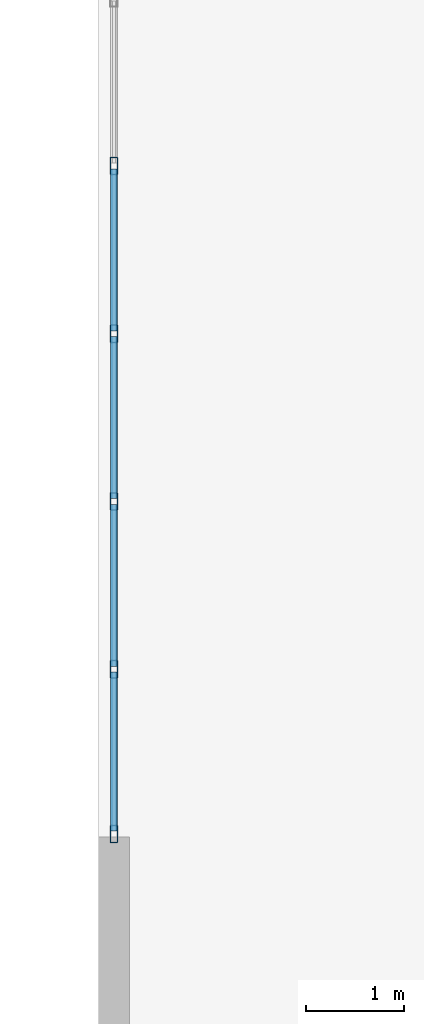
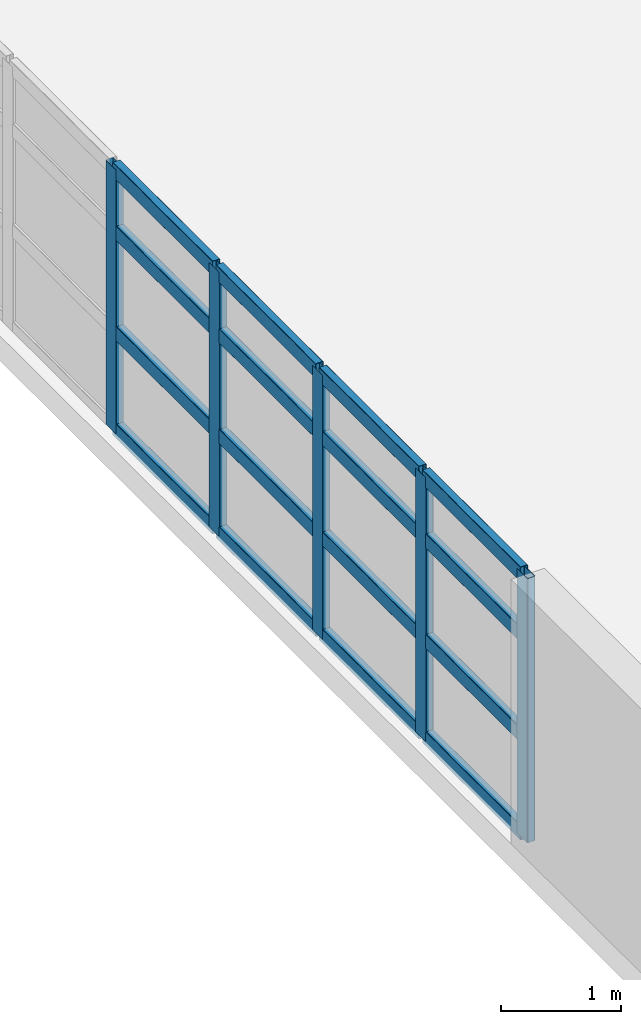
# One storey, part 4 of 24: 21 members, 1 element without a shape of its own.
"""IFC4 building model written with IfcOpenShell, lengths in metres."""

from ifc_helpers import new_model, si_unit, direction, frame, origin, origin_2d, place, context, subcontext, project, spatial, hollow_rectangle, extrude, material, layer, layer_set, material_profile, profile_set, type_object, element, aggregate, save


model = new_model("IFC4")

# Units and contexts
model_context = context("Model", 3, precision=1e-05, world=origin(), true_north=direction((0.0, 1.0)))
body_context = subcontext(model_context, "Body", "Model", "MODEL_VIEW")
ifc_project = project(units=[si_unit("LENGTHUNIT", "METRE"), si_unit("AREAUNIT", "SQUARE_METRE"), si_unit("VOLUMEUNIT", "CUBIC_METRE"), si_unit("PLANEANGLEUNIT", "RADIAN"), si_unit("MASSUNIT", "GRAM", prefix="KILO")], contexts=[model_context])

# Site, building, storey
site_placement = place(None, origin())
site = spatial("IfcSite", under=ifc_project, at=site_placement, CompositionType="ELEMENT")
building_placement = place(site_placement, origin())
building = spatial("IfcBuilding", under=site, at=building_placement, Name="Qingluan Cross Belvedere", CompositionType="ELEMENT")
storey_placement = place(building_placement, origin())
storey = spatial("IfcBuildingStorey", under=building, at=storey_placement, Name="L01", CompositionType="ELEMENT", Elevation=0.0)

# Curtain wall, members
ifc_material_1 = material(Name="Thermally broken aluminium and Low-E glass", Category="aluminium")
ifc_layer = layer(ifc_material_1, 0.199951171875, Name="UnitisedCW_PodiumArrival")
ifc_layer_set = layer_set([ifc_layer], Name="Thermally broken aluminium and Low-E glass")
curtain_wall_type = type_object("IfcCurtainWallType", Name="UnitisedCW_PodiumArrival", PredefinedType="USERDEFINED", material=ifc_layer_set)
curtain_wall_placement = place(storey_placement, origin())
curtain_wall = element("IfcCurtainWall", 1, at=curtain_wall_placement, inside=storey, type_object=curtain_wall_type, Name="UnitisedCW_PodiumArrival run env:cw:L01:W", ObjectType="UNITISED CURTAIN WALL", PredefinedType="USERDEFINED")
ifc_material_2 = material(Name="Aluminium alloy 6063-T6", Category="aluminium")
ifc_material_profile_1 = material_profile(ifc_material_2, hollow_rectangle(XDim=0.074951171875, YDim=0.179931640625, WallThickness=0.00390625, InnerFilletRadius=0.00390625, OuterFilletRadius=0.008056640625, at=origin_2d()), Name="CWM180x75x4")
ifc_profile_set_1 = profile_set([ifc_material_profile_1], Name="Aluminium alloy 6063-T6")
member_type_1 = type_object("IfcMemberType", Name="CWMullion_180", PredefinedType="MULLION", material=ifc_profile_set_1)
member_1_placement = place(storey_placement, frame((-39.0400390625, -5.969970703125, 0.0), z_axis=(0.0, 0.0, 1.0), x_axis=(-1.0, 0.0, 0.0)))
member_1 = element("IfcMember", 2, at=member_1_placement, type_object=member_type_1, Name="CW-P1 mullion 1", PredefinedType="MULLION", context=body_context, shape_type="SweptSolid", body=[
    extrude(hollow_rectangle(XDim=0.074951171875, YDim=0.179931640625, WallThickness=0.00390625, InnerFilletRadius=0.00390625, OuterFilletRadius=0.008056640625, at=origin_2d()), origin(), (0.0, 0.0, 1.0), 2.679931640625),
])
member_2_placement = place(storey_placement, frame((-39.0400390625, -4.28564453125, 0.0), z_axis=(0.0, 0.0, 1.0), x_axis=(-1.0, 0.0, 0.0)))
member_2 = element("IfcMember", 3, at=member_2_placement, type_object=member_type_1, Name="CW-P1 mullion 2", PredefinedType="MULLION", context=body_context, shape_type="SweptSolid", body=[
    extrude(hollow_rectangle(XDim=0.074951171875, YDim=0.179931640625, WallThickness=0.00390625, InnerFilletRadius=0.00390625, OuterFilletRadius=0.008056640625, at=origin_2d()), origin(), (0.0, 0.0, 1.0), 2.679931640625),
])
member_3_placement = place(storey_placement, frame((-39.0400390625, -2.571533203125, 0.0), z_axis=(0.0, 0.0, 1.0), x_axis=(-1.0, 0.0, 0.0)))
member_3 = element("IfcMember", 4, at=member_3_placement, type_object=member_type_1, Name="CW-P1 mullion 3", PredefinedType="MULLION", context=body_context, shape_type="SweptSolid", body=[
    extrude(hollow_rectangle(XDim=0.074951171875, YDim=0.179931640625, WallThickness=0.00390625, InnerFilletRadius=0.00390625, OuterFilletRadius=0.008056640625, at=origin_2d()), origin(), (0.0, 0.0, 1.0), 2.679931640625),
])
member_4_placement = place(storey_placement, frame((-39.0400390625, -0.857177734375, 0.0), z_axis=(0.0, 0.0, 1.0), x_axis=(-1.0, 0.0, 0.0)))
member_4 = element("IfcMember", 5, at=member_4_placement, type_object=member_type_1, Name="CW-P1 mullion 4", PredefinedType="MULLION", context=body_context, shape_type="SweptSolid", body=[
    extrude(hollow_rectangle(XDim=0.074951171875, YDim=0.179931640625, WallThickness=0.00390625, InnerFilletRadius=0.00390625, OuterFilletRadius=0.008056640625, at=origin_2d()), origin(), (0.0, 0.0, 1.0), 2.679931640625),
])
member_5_placement = place(storey_placement, frame((-39.0400390625, 0.857177734375, 0.0), z_axis=(0.0, 0.0, 1.0), x_axis=(-1.0, 0.0, 0.0)))
member_5 = element("IfcMember", 6, at=member_5_placement, type_object=member_type_1, Name="CW-P1 mullion 5", PredefinedType="MULLION", context=body_context, shape_type="SweptSolid", body=[
    extrude(hollow_rectangle(XDim=0.074951171875, YDim=0.179931640625, WallThickness=0.00390625, InnerFilletRadius=0.00390625, OuterFilletRadius=0.008056640625, at=origin_2d()), origin(), (0.0, 0.0, 1.0), 2.679931640625),
])
ifc_material_3 = material(Name="Aluminium alloy 6063-T6", Category="aluminium")
ifc_material_profile_2 = material_profile(ifc_material_3, hollow_rectangle(XDim=0.074951171875, YDim=0.14990234375, WallThickness=0.00390625, InnerFilletRadius=0.00390625, OuterFilletRadius=0.008056640625, at=origin_2d()), Name="CWT150x75x4")
ifc_profile_set_2 = profile_set([ifc_material_profile_2], Name="Aluminium alloy 6063-T6")
member_type_2 = type_object("IfcMemberType", Name="CWTransom_150", PredefinedType="USERDEFINED", material=ifc_profile_set_2)
member_6_placement = place(storey_placement, frame((-39.0400390625, -5.93994140625, 0.030029296875), z_axis=(0.0, 1.0, 0.0), x_axis=(-1.0, 0.0, 0.0)))
member_6 = element("IfcMember", 7, at=member_6_placement, type_object=member_type_2, Name="CW-P1 transom 1.1", ObjectType="TRANSOM", PredefinedType="USERDEFINED", context=body_context, shape_type="SweptSolid", body=[
    extrude(hollow_rectangle(XDim=0.074951171875, YDim=0.14990234375, WallThickness=0.00390625, InnerFilletRadius=0.00390625, OuterFilletRadius=0.008056640625, at=origin_2d()), origin(), (0.0, 0.0, 1.0), 1.624267578125),
])
member_7_placement = place(storey_placement, frame((-39.0400390625, -5.93994140625, 1.01806640625), z_axis=(0.0, 1.0, 0.0), x_axis=(-1.0, 0.0, 0.0)))
member_7 = element("IfcMember", 8, at=member_7_placement, type_object=member_type_2, Name="CW-P1 transom 1.2", ObjectType="TRANSOM", PredefinedType="USERDEFINED", context=body_context, shape_type="SweptSolid", body=[
    extrude(hollow_rectangle(XDim=0.074951171875, YDim=0.14990234375, WallThickness=0.00390625, InnerFilletRadius=0.00390625, OuterFilletRadius=0.008056640625, at=origin_2d()), origin(), (0.0, 0.0, 1.0), 1.624267578125),
])
member_8_placement = place(storey_placement, frame((-39.0400390625, -5.93994140625, 2.037109375), z_axis=(0.0, 1.0, 0.0), x_axis=(-1.0, 0.0, 0.0)))
member_8 = element("IfcMember", 9, at=member_8_placement, type_object=member_type_2, Name="CW-P1 transom 1.3", ObjectType="TRANSOM", PredefinedType="USERDEFINED", context=body_context, shape_type="SweptSolid", body=[
    extrude(hollow_rectangle(XDim=0.074951171875, YDim=0.14990234375, WallThickness=0.00390625, InnerFilletRadius=0.00390625, OuterFilletRadius=0.008056640625, at=origin_2d()), origin(), (0.0, 0.0, 1.0), 1.624267578125),
])
member_9_placement = place(storey_placement, frame((-39.0400390625, -5.93994140625, 2.64990234375), z_axis=(0.0, 1.0, 0.0), x_axis=(-1.0, 0.0, 0.0)))
member_9 = element("IfcMember", 10, at=member_9_placement, type_object=member_type_2, Name="CW-P1 transom 1.4", ObjectType="TRANSOM", PredefinedType="USERDEFINED", context=body_context, shape_type="SweptSolid", body=[
    extrude(hollow_rectangle(XDim=0.074951171875, YDim=0.14990234375, WallThickness=0.00390625, InnerFilletRadius=0.00390625, OuterFilletRadius=0.008056640625, at=origin_2d()), origin(), (0.0, 0.0, 1.0), 1.624267578125),
])
member_10_placement = place(storey_placement, frame((-39.0400390625, -4.255615234375, 0.030029296875), z_axis=(0.0, 1.0, 0.0), x_axis=(-1.0, 0.0, 0.0)))
member_10 = element("IfcMember", 11, at=member_10_placement, type_object=member_type_2, Name="CW-P1 transom 2.1", ObjectType="TRANSOM", PredefinedType="USERDEFINED", context=body_context, shape_type="SweptSolid", body=[
    extrude(hollow_rectangle(XDim=0.074951171875, YDim=0.14990234375, WallThickness=0.00390625, InnerFilletRadius=0.00390625, OuterFilletRadius=0.008056640625, at=origin_2d()), origin(), (0.0, 0.0, 1.0), 1.654296875),
])
member_11_placement = place(storey_placement, frame((-39.0400390625, -4.255615234375, 1.01806640625), z_axis=(0.0, 1.0, 0.0), x_axis=(-1.0, 0.0, 0.0)))
member_11 = element("IfcMember", 12, at=member_11_placement, type_object=member_type_2, Name="CW-P1 transom 2.2", ObjectType="TRANSOM", PredefinedType="USERDEFINED", context=body_context, shape_type="SweptSolid", body=[
    extrude(hollow_rectangle(XDim=0.074951171875, YDim=0.14990234375, WallThickness=0.00390625, InnerFilletRadius=0.00390625, OuterFilletRadius=0.008056640625, at=origin_2d()), origin(), (0.0, 0.0, 1.0), 1.654296875),
])
member_12_placement = place(storey_placement, frame((-39.0400390625, -4.255615234375, 2.037109375), z_axis=(0.0, 1.0, 0.0), x_axis=(-1.0, 0.0, 0.0)))
member_12 = element("IfcMember", 13, at=member_12_placement, type_object=member_type_2, Name="CW-P1 transom 2.3", ObjectType="TRANSOM", PredefinedType="USERDEFINED", context=body_context, shape_type="SweptSolid", body=[
    extrude(hollow_rectangle(XDim=0.074951171875, YDim=0.14990234375, WallThickness=0.00390625, InnerFilletRadius=0.00390625, OuterFilletRadius=0.008056640625, at=origin_2d()), origin(), (0.0, 0.0, 1.0), 1.654296875),
])
member_13_placement = place(storey_placement, frame((-39.0400390625, -4.255615234375, 2.64990234375), z_axis=(0.0, 1.0, 0.0), x_axis=(-1.0, 0.0, 0.0)))
member_13 = element("IfcMember", 14, at=member_13_placement, type_object=member_type_2, Name="CW-P1 transom 2.4", ObjectType="TRANSOM", PredefinedType="USERDEFINED", context=body_context, shape_type="SweptSolid", body=[
    extrude(hollow_rectangle(XDim=0.074951171875, YDim=0.14990234375, WallThickness=0.00390625, InnerFilletRadius=0.00390625, OuterFilletRadius=0.008056640625, at=origin_2d()), origin(), (0.0, 0.0, 1.0), 1.654296875),
])
member_14_placement = place(storey_placement, frame((-39.0400390625, -2.54150390625, 0.030029296875), z_axis=(0.0, 1.0, 0.0), x_axis=(-1.0, 0.0, 0.0)))
member_14 = element("IfcMember", 15, at=member_14_placement, type_object=member_type_2, Name="CW-P1 transom 3.1", ObjectType="TRANSOM", PredefinedType="USERDEFINED", context=body_context, shape_type="SweptSolid", body=[
    extrude(hollow_rectangle(XDim=0.074951171875, YDim=0.14990234375, WallThickness=0.00390625, InnerFilletRadius=0.00390625, OuterFilletRadius=0.008056640625, at=origin_2d()), origin(), (0.0, 0.0, 1.0), 1.654296875),
])
member_15_placement = place(storey_placement, frame((-39.0400390625, -2.54150390625, 1.01806640625), z_axis=(0.0, 1.0, 0.0), x_axis=(-1.0, 0.0, 0.0)))
member_15 = element("IfcMember", 16, at=member_15_placement, type_object=member_type_2, Name="CW-P1 transom 3.2", ObjectType="TRANSOM", PredefinedType="USERDEFINED", context=body_context, shape_type="SweptSolid", body=[
    extrude(hollow_rectangle(XDim=0.074951171875, YDim=0.14990234375, WallThickness=0.00390625, InnerFilletRadius=0.00390625, OuterFilletRadius=0.008056640625, at=origin_2d()), origin(), (0.0, 0.0, 1.0), 1.654296875),
])
member_16_placement = place(storey_placement, frame((-39.0400390625, -2.54150390625, 2.037109375), z_axis=(0.0, 1.0, 0.0), x_axis=(-1.0, 0.0, 0.0)))
member_16 = element("IfcMember", 17, at=member_16_placement, type_object=member_type_2, Name="CW-P1 transom 3.3", ObjectType="TRANSOM", PredefinedType="USERDEFINED", context=body_context, shape_type="SweptSolid", body=[
    extrude(hollow_rectangle(XDim=0.074951171875, YDim=0.14990234375, WallThickness=0.00390625, InnerFilletRadius=0.00390625, OuterFilletRadius=0.008056640625, at=origin_2d()), origin(), (0.0, 0.0, 1.0), 1.654296875),
])
member_17_placement = place(storey_placement, frame((-39.0400390625, -2.54150390625, 2.64990234375), z_axis=(0.0, 1.0, 0.0), x_axis=(-1.0, 0.0, 0.0)))
member_17 = element("IfcMember", 18, at=member_17_placement, type_object=member_type_2, Name="CW-P1 transom 3.4", ObjectType="TRANSOM", PredefinedType="USERDEFINED", context=body_context, shape_type="SweptSolid", body=[
    extrude(hollow_rectangle(XDim=0.074951171875, YDim=0.14990234375, WallThickness=0.00390625, InnerFilletRadius=0.00390625, OuterFilletRadius=0.008056640625, at=origin_2d()), origin(), (0.0, 0.0, 1.0), 1.654296875),
])
member_18_placement = place(storey_placement, frame((-39.0400390625, -0.8271484375, 0.030029296875), z_axis=(0.0, 1.0, 0.0), x_axis=(-1.0, 0.0, 0.0)))
member_18 = element("IfcMember", 19, at=member_18_placement, type_object=member_type_2, Name="CW-P1 transom 4.1", ObjectType="TRANSOM", PredefinedType="USERDEFINED", context=body_context, shape_type="SweptSolid", body=[
    extrude(hollow_rectangle(XDim=0.074951171875, YDim=0.14990234375, WallThickness=0.00390625, InnerFilletRadius=0.00390625, OuterFilletRadius=0.008056640625, at=origin_2d()), origin(), (0.0, 0.0, 1.0), 1.654296875),
])
member_19_placement = place(storey_placement, frame((-39.0400390625, -0.8271484375, 1.01806640625), z_axis=(0.0, 1.0, 0.0), x_axis=(-1.0, 0.0, 0.0)))
member_19 = element("IfcMember", 20, at=member_19_placement, type_object=member_type_2, Name="CW-P1 transom 4.2", ObjectType="TRANSOM", PredefinedType="USERDEFINED", context=body_context, shape_type="SweptSolid", body=[
    extrude(hollow_rectangle(XDim=0.074951171875, YDim=0.14990234375, WallThickness=0.00390625, InnerFilletRadius=0.00390625, OuterFilletRadius=0.008056640625, at=origin_2d()), origin(), (0.0, 0.0, 1.0), 1.654296875),
])
member_20_placement = place(storey_placement, frame((-39.0400390625, -0.8271484375, 2.037109375), z_axis=(0.0, 1.0, 0.0), x_axis=(-1.0, 0.0, 0.0)))
member_20 = element("IfcMember", 21, at=member_20_placement, type_object=member_type_2, Name="CW-P1 transom 4.3", ObjectType="TRANSOM", PredefinedType="USERDEFINED", context=body_context, shape_type="SweptSolid", body=[
    extrude(hollow_rectangle(XDim=0.074951171875, YDim=0.14990234375, WallThickness=0.00390625, InnerFilletRadius=0.00390625, OuterFilletRadius=0.008056640625, at=origin_2d()), origin(), (0.0, 0.0, 1.0), 1.654296875),
])
member_21_placement = place(storey_placement, frame((-39.0400390625, -0.8271484375, 2.64990234375), z_axis=(0.0, 1.0, 0.0), x_axis=(-1.0, 0.0, 0.0)))
member_21 = element("IfcMember", 22, at=member_21_placement, type_object=member_type_2, Name="CW-P1 transom 4.4", ObjectType="TRANSOM", PredefinedType="USERDEFINED", context=body_context, shape_type="SweptSolid", body=[
    extrude(hollow_rectangle(XDim=0.074951171875, YDim=0.14990234375, WallThickness=0.00390625, InnerFilletRadius=0.00390625, OuterFilletRadius=0.008056640625, at=origin_2d()), origin(), (0.0, 0.0, 1.0), 1.654296875),
])
aggregate(curtain_wall, [member_1, member_2, member_3, member_4, member_5, member_6, member_7, member_8, member_9, member_10, member_11, member_12, member_13, member_14, member_15, member_16, member_17, member_18, member_19, member_20, member_21])

save(model, "model.ifc")
